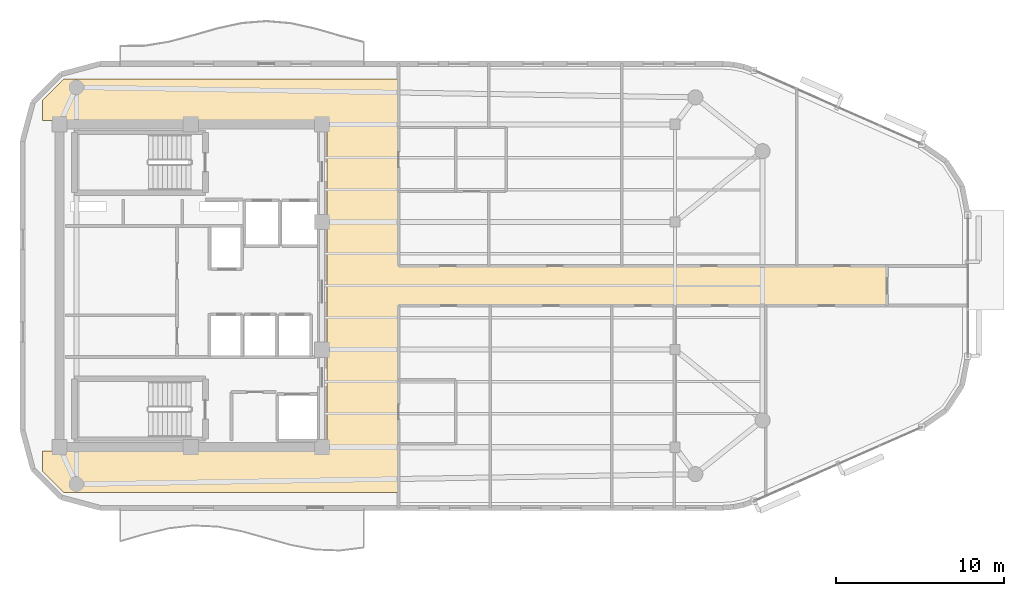
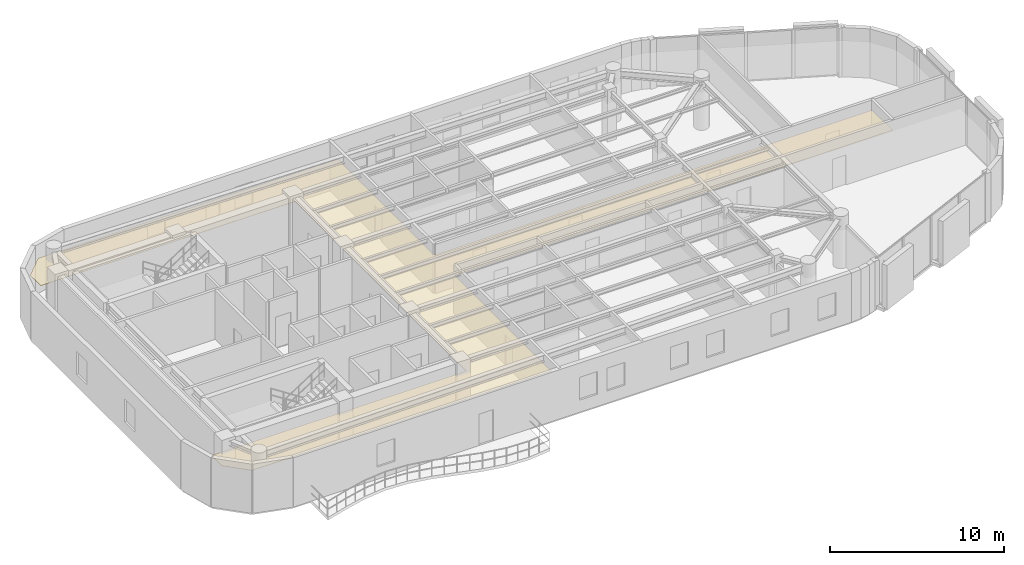
# One storey, part 12 of 14: 1 covering.
"""IFC4 building model written with IfcOpenShell, lengths in metres."""

import ifcopenshell
import ifcopenshell.guid

model = None  # the IFC model being written
_history = None  # IfcOwnerHistory: only IFC2X3 demands one
_inside = {}  # id of a spatial element -> (the spatial element, [elements in it])
_under = {}  # id of a project, library or spatial element -> (it, [spatial elements below it])
_declared = {}  # id of a project -> (the project, [libraries it declares])
_typed = {}  # id of a type object -> (the type object, [elements of that type])
_made_of = {}  # id of a material, layer set ... -> (it, [elements and type objects made of it])


def new_model(schema):
    """Start an empty IFC model of exactly this schema.

    Asked for "IFC4X3", IfcOpenShell would pick the latest addendum, in which some entities
    have other attributes; the version numbers below select the first issue.
    IFC2X3 requires an IfcOwnerHistory on every rooted entity: one is made here for all.
    """
    global model, _history
    if schema == "IFC4X3":
        model = ifcopenshell.file(schema_version=(4, 3, 0, 0))
    else:
        model = ifcopenshell.file(schema=schema)
    _inside.clear()
    _under.clear()
    _declared.clear()
    _typed.clear()
    _made_of.clear()
    _history = None
    if model.schema == "IFC2X3":
        org = make("IfcOrganization", Name="unknown")
        user = make(
            "IfcPersonAndOrganization",
            ThePerson=make("IfcPerson", FamilyName="unknown"),
            TheOrganization=org,
        )
        app = make(
            "IfcApplication",
            ApplicationDeveloper=org,
            Version="unknown",
            ApplicationFullName="unknown",
            ApplicationIdentifier="unknown",
        )
        _history = make(
            "IfcOwnerHistory",
            OwningUser=user,
            OwningApplication=app,
            ChangeAction="ADDED",
            CreationDate=0,
        )
    return model


def make(cls, **values):
    """One entity of the class cls with the attributes given. An attribute that is None is left unset."""
    return model.create_entity(
        cls, **{name: value for name, value in values.items() if value is not None}
    )


def rooted(cls, **values):
    """An entity with a GlobalId (a new one), such as an element, a storey or a relation."""
    return make(cls, GlobalId=ifcopenshell.guid.new(), OwnerHistory=_history, **values)


def si_unit(unit_type, name, prefix=None):
    """IfcSIUnit, for example si_unit("LENGTHUNIT", "METRE", prefix="MILLI")."""
    return make("IfcSIUnit", UnitType=unit_type, Prefix=prefix, Name=name)


def assignment(units):
    """IfcUnitAssignment: the units of a project."""
    return None if units is None else make("IfcUnitAssignment", Units=units)


def point(xyz):
    """IfcCartesianPoint."""
    return None if xyz is None else make("IfcCartesianPoint", Coordinates=xyz)


def direction(xyz):
    """IfcDirection."""
    return None if xyz is None else make("IfcDirection", DirectionRatios=xyz)


def frame(location, z_axis=None, x_axis=None):
    """IfcAxis2Placement3D, a coordinate frame: its origin and axes. An axis left out is left unset."""
    return make(
        "IfcAxis2Placement3D",
        Location=point(location),
        Axis=direction(z_axis),
        RefDirection=direction(x_axis),
    )


def origin():
    """The frame at (0, 0, 0) with its axes left unset."""
    return frame((0.0, 0.0, 0.0))


def place(relative_to, where):
    """IfcLocalPlacement: puts the frame where relative to a parent placement (None: the world)."""
    return make(
        "IfcLocalPlacement", PlacementRelTo=relative_to, RelativePlacement=where
    )


def context(
    kind, dimensions, precision=None, world=None, true_north=None, identifier=None
):
    """IfcGeometricRepresentationContext, for example the 3D "Model" context."""
    return make(
        "IfcGeometricRepresentationContext",
        ContextIdentifier=identifier,
        ContextType=kind,
        CoordinateSpaceDimension=dimensions,
        Precision=precision,
        WorldCoordinateSystem=world,
        TrueNorth=true_north,
    )


def subcontext(parent, identifier, kind, view, scale=None):
    """IfcGeometricRepresentationSubContext, for example "Body" below "Model"."""
    return make(
        "IfcGeometricRepresentationSubContext",
        ContextIdentifier=identifier,
        ContextType=kind,
        ParentContext=parent,
        TargetScale=scale,
        TargetView=view,
    )


def project(units=None, contexts=None):
    """IfcProject with its units and contexts."""
    return rooted(
        "IfcProject",
        Name="project",
        RepresentationContexts=contexts,
        UnitsInContext=assignment(units),
    )


def spatial(cls, under=None, at=None, **own):
    """A site, building, storey or space (cls), placed at a placement, below another one or the project."""
    s = rooted(cls, ObjectPlacement=at, **own)
    if under is not None:
        _under.setdefault(under.id(), (under, []))[1].append(s)
    return s


def polyline(points):
    """IfcPolyline through the points."""
    return make("IfcPolyline", Points=[point(p) for p in points])


def outline(outer, holes=None, kind="AREA"):
    """IfcArbitraryClosedProfileDef: a profile drawn as a closed curve; with holes, ...WithVoids."""
    if holes is None:
        return make("IfcArbitraryClosedProfileDef", ProfileType=kind, OuterCurve=outer)
    return make(
        "IfcArbitraryProfileDefWithVoids",
        ProfileType=kind,
        OuterCurve=outer,
        InnerCurves=holes,
    )


def extrude(swept, where, along, depth):
    """IfcExtrudedAreaSolid: the profile swept, set in the frame where, extruded along a direction by depth."""
    return make(
        "IfcExtrudedAreaSolid",
        SweptArea=swept,
        Position=where,
        ExtrudedDirection=direction(along),
        Depth=depth,
    )


def shape(context_of_items, identifier, shape_type, items):
    """IfcShapeRepresentation: the items that make up one representation, for example the "Body"."""
    return make(
        "IfcShapeRepresentation",
        ContextOfItems=context_of_items,
        RepresentationIdentifier=identifier,
        RepresentationType=shape_type,
        Items=items,
    )


def material(Name=None, Category=None):
    """IfcMaterial."""
    return make("IfcMaterial", Name=Name, Category=Category)


def layer(
    of_material, thickness, ventilated=None, Name=None, Category=None, Priority=None
):
    """IfcMaterialLayer: one layer of a wall or slab, of a material (None: an air gap)."""
    return make(
        "IfcMaterialLayer",
        Material=of_material,
        LayerThickness=thickness,
        IsVentilated=ventilated,
        Name=Name,
        Category=Category,
        Priority=Priority,
    )


def layer_set(layers, Name=None):
    """IfcMaterialLayerSet."""
    return make("IfcMaterialLayerSet", MaterialLayers=layers, LayerSetName=Name)


def made_of(thing, what):
    """Note that an element or type object is made of a material, layer set ...; save() writes the relation."""
    if what is not None:
        _made_of.setdefault(what.id(), (what, []))[1].append(thing)
    return thing


def type_object(cls, material=None, **own):
    """A type object (cls), such as IfcWallType, which elements share."""
    return made_of(rooted(cls, **own), material)


def element(
    cls,
    number,
    at=None,
    inside=None,
    cuts=None,
    type_object=None,
    material=None,
    context=None,
    identifier="Body",
    shape_type=None,
    held_by="IfcProductDefinitionShape",
    body=None,
    shapes=None,
    **own,
):
    """One element of the class cls, such as IfcWall. Its Tag is "e" and its number.

    at: its placement. inside: the storey or other place that contains it. cuts: it is an
    opening in that element (IfcRelVoidsElement). A single representation is given by context,
    identifier, shape_type and body (its items); several are given by shapes. held_by: the class
    of the entity that holds the representations. save() writes the other relations.
    """
    e = rooted(cls, Tag="e%d" % number, ObjectPlacement=at, **own)
    if body is not None:
        shapes = [shape(context, identifier, shape_type, body)]
    if shapes is not None:
        e.Representation = make(held_by, Representations=shapes)
    if inside is not None:
        _inside.setdefault(inside.id(), (inside, []))[1].append(e)
    if cuts is not None:
        rooted(
            "IfcRelVoidsElement", RelatingBuildingElement=cuts, RelatedOpeningElement=e
        )
    if type_object is not None:
        _typed.setdefault(type_object.id(), (type_object, []))[1].append(e)
    return made_of(e, material)


def aggregate(whole, parts):
    """IfcRelAggregates: a whole, such as a stair, and the parts it consists of."""
    return rooted("IfcRelAggregates", RelatingObject=whole, RelatedObjects=parts)


def save(model, path):
    """Write the relations noted so far, then the file.

    IfcRelAggregates (storeys below a building ...), IfcRelContainedInSpatialStructure (elements
    in a storey), IfcRelDefinesByType, IfcRelAssociatesMaterial and IfcRelDeclares: one each for
    every whole, place, type object, material and project.
    """
    for whole, parts in _under.values():
        aggregate(whole, parts)
    for where, things in _inside.values():
        rooted(
            "IfcRelContainedInSpatialStructure",
            RelatedElements=things,
            RelatingStructure=where,
        )
    for kind, things in _typed.values():
        rooted("IfcRelDefinesByType", RelatedObjects=things, RelatingType=kind)
    for what, things in _made_of.values():
        rooted("IfcRelAssociatesMaterial", RelatedObjects=things, RelatingMaterial=what)
    for by, libraries in _declared.values():
        rooted("IfcRelDeclares", RelatingContext=by, RelatedDefinitions=libraries)
    model.write(path)


model = new_model("IFC4")

# Units and contexts
model_context = context("Model", 3, precision=1e-05, world=origin(), true_north=direction((0.0, 1.0)))
body_context = subcontext(model_context, "Body", "Model", "MODEL_VIEW")
ifc_project = project(units=[si_unit("LENGTHUNIT", "METRE"), si_unit("AREAUNIT", "SQUARE_METRE"), si_unit("VOLUMEUNIT", "CUBIC_METRE"), si_unit("PLANEANGLEUNIT", "RADIAN"), si_unit("MASSUNIT", "GRAM", prefix="KILO")], contexts=[model_context])

# Site, building, storey
site_placement = place(None, origin())
site = spatial("IfcSite", under=ifc_project, at=site_placement, CompositionType="ELEMENT")
building_placement = place(site_placement, origin())
building = spatial("IfcBuilding", under=site, at=building_placement, Name="An Khanh Terracotta Commons", CompositionType="ELEMENT")
storey_placement = place(building_placement, frame((0.0, 0.0, 280.699951171875)))
storey = spatial("IfcBuildingStorey", under=building, at=storey_placement, Name="L73", CompositionType="ELEMENT", Elevation=280.699951171875)

# Covering
ifc_material = material(Name="Perforated Mineral-Fibre Acoustic Tile")
ifc_layer = layer(ifc_material, 0.02001953125, Name="Perforated Mineral-Fibre Acoustic Tile")
ifc_layer_set = layer_set([ifc_layer], Name="Perforated Mineral-Fibre Acoustic Tile")
covering_type = type_object("IfcCoveringType", Name="CEIL-ACOUSTIC-18", PredefinedType="CEILING", material=ifc_layer_set)
covering_placement = place(storey_placement, frame((0.0, 0.0, 2.650146484375)))
element("IfcCovering", 1, at=covering_placement, inside=storey, type_object=covering_type, Name="L73 Corridor Ceiling", PredefinedType="CEILING", context=body_context, shape_type="SweptSolid", body=[
    extrude(outline(polyline([(21.84912109375, 11.719970703125), (20.60009765625, 12.968994140625), (20.60009765625, 14.179931640625), (37.5, 14.179931640625), (37.5, 33.820068359375), (20.60009765625, 33.820068359375), (20.60009765625, 35.031005859375), (21.84912109375, 36.280029296875), (37.5, 36.280029296875), (41.75, 36.280029296875), (41.75, 33.820068359375), (41.75, 25.179931640625), (70.800048828125, 25.179931640625), (70.800048828125, 22.820068359375), (41.75, 22.820068359375), (41.75, 14.179931640625), (41.75, 11.719970703125), (37.5, 11.719970703125), (21.84912109375, 11.719970703125)])), origin(), (0.0, 0.0, 1.0), 0.02001953125),
])

save(model, "model.ifc")
